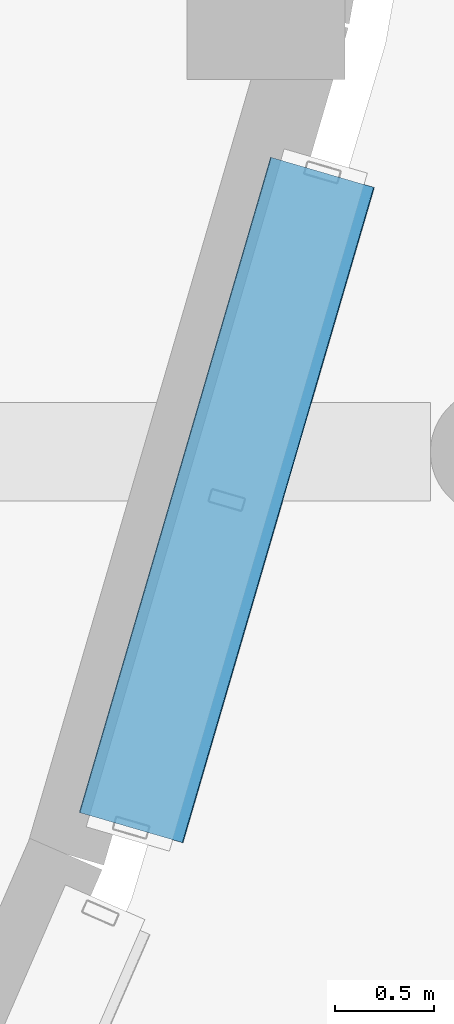
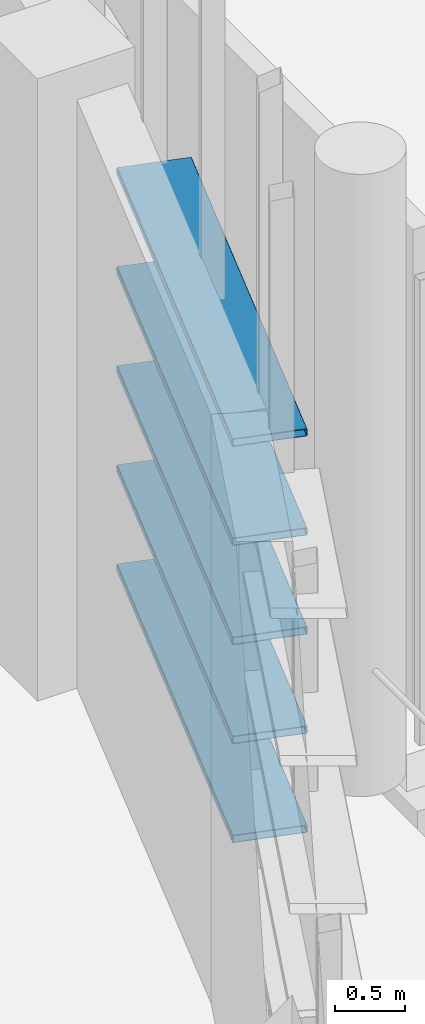
# One storey, part 108 of 372: 5 members.
"""IFC4 building model written with IfcOpenShell, lengths in metres."""

from ifc_helpers import new_model, si_unit, direction, frame, origin, origin_2d, place, context, subcontext, project, spatial, hollow_rectangle, extrude, material, material_profile, profile_set, type_object, element, save


model = new_model("IFC4")

# Units and contexts
model_context = context("Model", 3, precision=1e-05, world=origin(), true_north=direction((0.0, 1.0)))
body_context = subcontext(model_context, "Body", "Model", "MODEL_VIEW")
ifc_project = project(units=[si_unit("LENGTHUNIT", "METRE"), si_unit("AREAUNIT", "SQUARE_METRE"), si_unit("VOLUMEUNIT", "CUBIC_METRE"), si_unit("PLANEANGLEUNIT", "RADIAN"), si_unit("MASSUNIT", "GRAM", prefix="KILO")], contexts=[model_context])

# Site, building, storey
site_placement = place(None, origin())
site = spatial("IfcSite", under=ifc_project, at=site_placement, CompositionType="ELEMENT")
building_placement = place(site_placement, origin())
building = spatial("IfcBuilding", under=site, at=building_placement, Name="Kaelora Sail Theatre", CompositionType="ELEMENT")
storey_placement = place(building_placement, origin())
storey = spatial("IfcBuildingStorey", under=building, at=storey_placement, Name="L00", CompositionType="ELEMENT", Elevation=0.0)

# Members
ifc_material = material(Name="Anodised aluminium 6063-T6", Category="aluminium")
ifc_material_profile = material_profile(ifc_material, hollow_rectangle(XDim=0.550048828125, YDim=0.06494140625, WallThickness=0.00390625, InnerFilletRadius=0.00390625, OuterFilletRadius=0.008056640625, at=origin_2d()), Name="LOUVRE 550x65x4")
ifc_profile_set = profile_set([ifc_material_profile], Name="Anodised aluminium 6063-T6")
member_type = type_object("IfcMemberType", Name="ARC-MEM-LVR-300", PredefinedType="USERDEFINED", material=ifc_profile_set)
for number, where, z_axis, x_axis, name in (
    (1, (57.326904296875, 40.119384765625, 1.25), (-0.280281368484, -0.959917889447, 0.0), (0.959917889447, -0.280281368484, 0.0), "Main Theatre Sail Drum horizontal solar louvre C5-01"),
    (2, (57.326904296875, 40.119384765625, 2.110107421875), (-0.280281368484, -0.959917889447, 0.0), (0.959917889447, -0.280281368484, 0.0), "Main Theatre Sail Drum horizontal solar louvre C5-02"),
    (3, (57.326904296875, 40.119384765625, 2.969970703125), (-0.280281368484, -0.959917889447, 0.0), (0.959917889447, -0.280281368484, 0.0), "Main Theatre Sail Drum horizontal solar louvre C5-03"),
    (4, (57.326904296875, 40.119384765625, 3.830078125), (-0.280281368484, -0.959917889447, 0.0), (0.959917889447, -0.280281368484, 0.0), "Main Theatre Sail Drum horizontal solar louvre C5-04"),
    (5, (57.326904296875, 40.119384765625, 4.68994140625), (-0.280281368484, -0.959917889447, 0.0), (0.959917889447, -0.280281368484, 0.0), "Main Theatre Sail Drum horizontal solar louvre C5-05"),
):
    element("IfcMember", number, at=place(storey_placement, frame(where, z_axis=z_axis, x_axis=x_axis)), inside=storey, type_object=member_type, Name=name, ObjectType="LOUVRE", PredefinedType="USERDEFINED", context=body_context, shape_type="SweptSolid", body=[
        extrude(hollow_rectangle(XDim=0.550048828125, YDim=0.06494140625, WallThickness=0.00390625, InnerFilletRadius=0.00390625, OuterFilletRadius=0.008056640625, at=origin_2d()), origin(), (0.0, 0.0, 1.0), 3.465087890625),
    ])

save(model, "model.ifc")
